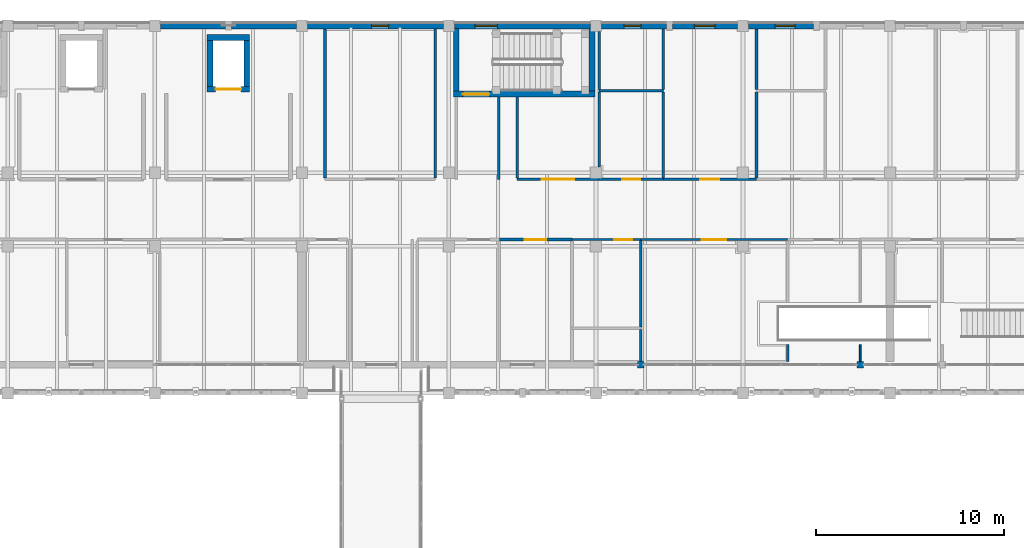
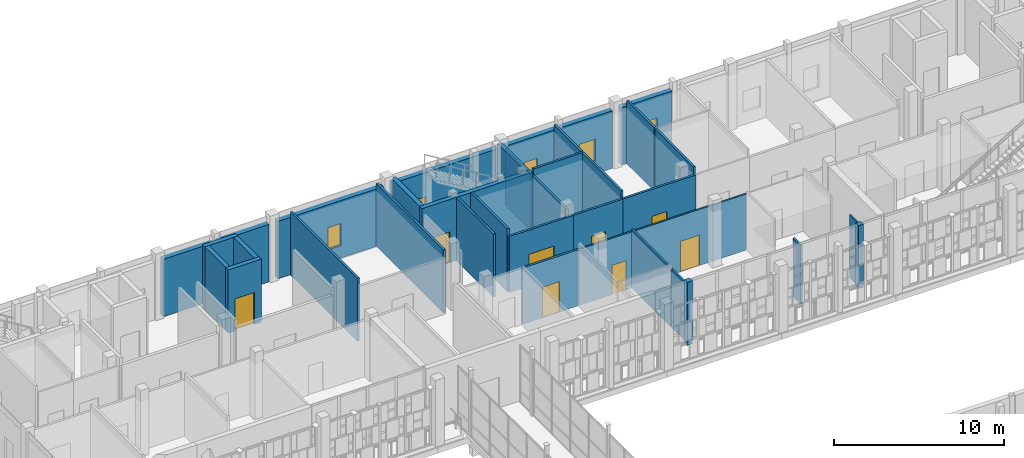
# One storey, part 109 of 138: 37 walls, 8 doors, 5 windows, 13 openings.
"""IFC4 building model written with IfcOpenShell, lengths in metres."""

from ifc_helpers import new_model, si_unit, direction, frame, frame_2d, origin, place, context, subcontext, project, spatial, rectangle, extrude, material, layer, layer_set, type_object, element, fill, save


model = new_model("IFC4")

# Units and contexts
model_context = context("Model", 3, precision=1e-05, world=origin(), true_north=direction((0.0, 1.0)))
body_context = subcontext(model_context, "Body", "Model", "MODEL_VIEW")
ifc_project = project(units=[si_unit("LENGTHUNIT", "METRE"), si_unit("AREAUNIT", "SQUARE_METRE"), si_unit("VOLUMEUNIT", "CUBIC_METRE"), si_unit("PLANEANGLEUNIT", "RADIAN"), si_unit("MASSUNIT", "GRAM", prefix="KILO")], contexts=[model_context])

# Site, building, storey
site_placement = place(None, origin())
site = spatial("IfcSite", under=ifc_project, at=site_placement, CompositionType="ELEMENT")
building_placement = place(site_placement, origin())
building = spatial("IfcBuilding", under=site, at=building_placement, Name="Celorna Specialist Clinic", CompositionType="ELEMENT")
storey_placement = place(building_placement, frame((0.0, 0.0, 4.800048828125)))
storey = spatial("IfcBuildingStorey", under=building, at=storey_placement, Name="L01", CompositionType="ELEMENT", Elevation=4.800048828125)

# Walls
ifc_material_1 = material(Name="Pero Pinheiro Lioz limestone insulated masonry", Category="masonry")
ifc_layer_1 = layer(ifc_material_1, 0.340087890625, Name="Pero Pinheiro Lioz limestone insulated masonry")
ifc_layer_set_1 = layer_set([ifc_layer_1], Name="Pero Pinheiro Lioz limestone insulated masonry")
wall_type_1 = type_object("IfcWallType", Name="WT-07", PredefinedType="STANDARD", material=ifc_layer_set_1)
for number, where, z_axis, x_axis, name in (
    (1, (88.340087890625, 98.0, 0.0), (0.0, 0.0, 1.0), (-1.0, 0.0, 0.0), "External facade wall WT-07 #191"),
    (2, (99.989990234375, 98.0, 0.0), (0.0, 0.0, 1.0), (-1.0, 0.0, 0.0), "External facade wall WT-07 #192"),
):
    element("IfcWall", number, at=place(storey_placement, frame(where, z_axis=z_axis, x_axis=x_axis)), inside=storey, type_object=wall_type_1, Name=name, PredefinedType="STANDARD", context=body_context, shape_type="SweptSolid", body=[
        extrude(rectangle(XDim=0.340087890625, YDim=0.340087890625, at=frame_2d((0.169921875, 0.0))), origin(), (0.0, 0.0, 1.0), 4.5400390625),
    ])
for number, where, z_axis, x_axis, name in (
    (3, (62.699951171875, 116.0, 0.0), (0.0, 0.0, 1.0), (1.0, 0.0, 0.0), "External facade wall WT-07 #206"),
    (4, (66.449951171875, 116.0, 0.0), (0.0, 0.0, 1.0), (1.0, 0.0, 0.0), "External facade wall WT-07 #207"),
):
    element("IfcWall", number, at=place(storey_placement, frame(where, z_axis=z_axis, x_axis=x_axis)), inside=storey, type_object=wall_type_1, Name=name, PredefinedType="STANDARD", context=body_context, shape_type="SweptSolid", body=[
        extrude(rectangle(XDim=3.449951171875, YDim=0.340087890625, at=frame_2d((1.72509765625, 0.0))), origin(), (0.0, 0.0, 1.0), 4.139892578125),
    ])

# Wall, opening, window
wall_1_placement = place(storey_placement, frame((70.5, 116.0, 0.0), z_axis=(0.0, 0.0, 1.0), x_axis=(1.0, 0.0, 0.0)))
wall_1 = element("IfcWall", 5, at=wall_1_placement, inside=storey, type_object=wall_type_1, Name="External facade wall WT-07 #208", PredefinedType="STANDARD", context=body_context, shape_type="SweptSolid", body=[
    extrude(rectangle(XDim=7.199951171875, YDim=0.340087890625, at=frame_2d((3.60009765625, 0.0))), origin(), (0.0, 0.0, 1.0), 4.139892578125),
])
opening_1_placement = place(wall_1_placement, frame((3.39501953125, 0.0, 0.89990234375)))
opening_1 = element("IfcOpeningElement", 6, at=opening_1_placement, cuts=wall_1, Name="Opening WN-01", PredefinedType="OPENING", context=body_context, shape_type="SweptSolid", body=[
    extrude(rectangle(XDim=0.89990234375, YDim=1.60009765625, at=frame_2d((0.449951171875, 0.800048828125))), frame((0.0, 0.179931640625, 0.0), z_axis=(0.0, -1.0, 0.0), x_axis=(1.0, 0.0, 0.0)), (0.0, 0.0, 1.0), 0.360107421875),
])
ifc_material_2 = material(Name="Thermally broken aluminium triple-glazed window", Category="aluminium")
window_type_1 = type_object("IfcWindowType", Name="WN-01", PartitioningType="SINGLE_PANEL", PredefinedType="WINDOW", material=ifc_material_2)
window_1_placement = place(opening_1_placement, origin())
window_1 = element("IfcWindow", 7, at=window_1_placement, inside=storey, type_object=window_type_1, Name="Facade window WN-01 #88", OverallHeight=1.60009765625, OverallWidth=0.89990234375, PartitioningType="SINGLE_PANEL", PredefinedType="WINDOW", context=body_context, shape_type="SweptSolid", body=[
    extrude(rectangle(XDim=0.89990234375, YDim=1.60009765625, at=frame_2d((0.449951171875, 0.800048828125))), frame((0.0, 0.030029296875, 0.0), z_axis=(0.0, -1.0, 0.0), x_axis=(1.0, 0.0, 0.0)), (0.0, 0.0, 1.0), 0.06005859375),
])
fill(opening_1, window_1)

wall_2_placement = place(storey_placement, frame((78.300048828125, 116.0, 0.0), z_axis=(0.0, 0.0, 1.0), x_axis=(1.0, 0.0, 0.0)))
wall_2 = element("IfcWall", 8, at=wall_2_placement, inside=storey, type_object=wall_type_1, Name="External facade wall WT-07 #209", PredefinedType="STANDARD", context=body_context, shape_type="SweptSolid", body=[
    extrude(rectangle(XDim=7.199951171875, YDim=0.340087890625, at=frame_2d((3.60009765625, 0.0))), origin(), (0.0, 0.0, 1.0), 4.139892578125),
])
opening_2_placement = place(wall_2_placement, frame((1.070068359375, 0.0, 0.89990234375)))
opening_2 = element("IfcOpeningElement", 9, at=opening_2_placement, cuts=wall_2, Name="Opening WN-04", PredefinedType="OPENING", context=body_context, shape_type="SweptSolid", body=[
    extrude(rectangle(XDim=1.199951171875, YDim=1.5, at=frame_2d((0.60009765625, 0.75))), frame((0.0, 0.179931640625, 0.0), z_axis=(0.0, -1.0, 0.0), x_axis=(1.0, 0.0, 0.0)), (0.0, 0.0, 1.0), 0.360107421875),
])
window_type_2 = type_object("IfcWindowType", Name="WN-04", PartitioningType="SINGLE_PANEL", PredefinedType="WINDOW", material=ifc_material_2)
window_2_placement = place(opening_2_placement, origin())
window_2 = element("IfcWindow", 10, at=window_2_placement, inside=storey, type_object=window_type_2, Name="Facade window WN-04 #89", OverallHeight=1.5, OverallWidth=1.199951171875, PartitioningType="SINGLE_PANEL", PredefinedType="WINDOW", context=body_context, shape_type="SweptSolid", body=[
    extrude(rectangle(XDim=1.199951171875, YDim=1.5, at=frame_2d((0.60009765625, 0.75))), frame((0.0, 0.030029296875, 0.0), z_axis=(0.0, -1.0, 0.0), x_axis=(1.0, 0.0, 0.0)), (0.0, 0.0, 1.0), 0.06005859375),
])
fill(opening_2, window_2)

wall_3_placement = place(storey_placement, frame((86.10009765625, 116.0, 0.0), z_axis=(0.0, 0.0, 1.0), x_axis=(1.0, 0.0, 0.0)))
wall_3 = element("IfcWall", 11, at=wall_3_placement, inside=storey, type_object=wall_type_1, Name="External facade wall WT-07 #210", PredefinedType="STANDARD", context=body_context, shape_type="SweptSolid", body=[
    extrude(rectangle(XDim=3.449951171875, YDim=0.340087890625, at=frame_2d((1.72509765625, 0.0))), origin(), (0.0, 0.0, 1.0), 4.139892578125),
])
opening_3_placement = place(wall_3_placement, frame((1.195068359375, 0.0, 0.89990234375)))
opening_3 = element("IfcOpeningElement", 12, at=opening_3_placement, cuts=wall_3, Name="Opening WN-01", PredefinedType="OPENING", context=body_context, shape_type="SweptSolid", body=[
    extrude(rectangle(XDim=0.89990234375, YDim=1.60009765625, at=frame_2d((0.449951171875, 0.800048828125))), frame((0.0, 0.179931640625, 0.0), z_axis=(0.0, -1.0, 0.0), x_axis=(1.0, 0.0, 0.0)), (0.0, 0.0, 1.0), 0.360107421875),
])
window_3_placement = place(opening_3_placement, origin())
window_3 = element("IfcWindow", 13, at=window_3_placement, inside=storey, type_object=window_type_1, Name="Facade window WN-01 #90", OverallHeight=1.60009765625, OverallWidth=0.89990234375, PartitioningType="SINGLE_PANEL", PredefinedType="WINDOW", context=body_context, shape_type="SweptSolid", body=[
    extrude(rectangle(XDim=0.89990234375, YDim=1.60009765625, at=frame_2d((0.449951171875, 0.800048828125))), frame((0.0, 0.030029296875, 0.0), z_axis=(0.0, -1.0, 0.0), x_axis=(1.0, 0.0, 0.0)), (0.0, 0.0, 1.0), 0.06005859375),
])
fill(opening_3, window_3)

wall_4_placement = place(storey_placement, frame((89.85009765625, 116.0, 0.0), z_axis=(0.0, 0.0, 1.0), x_axis=(1.0, 0.0, 0.0)))
wall_4 = element("IfcWall", 14, at=wall_4_placement, inside=storey, type_object=wall_type_1, Name="External facade wall WT-07 #211", PredefinedType="STANDARD", context=body_context, shape_type="SweptSolid", body=[
    extrude(rectangle(XDim=3.449951171875, YDim=0.340087890625, at=frame_2d((1.72509765625, 0.0))), origin(), (0.0, 0.0, 1.0), 4.139892578125),
])
opening_4_placement = place(wall_4_placement, frame((1.175048828125, 0.0, 0.89990234375)))
opening_4 = element("IfcOpeningElement", 15, at=opening_4_placement, cuts=wall_4, Name="Opening WN-03", PredefinedType="OPENING", context=body_context, shape_type="SweptSolid", body=[
    extrude(rectangle(XDim=1.10009765625, YDim=1.60009765625, at=frame_2d((0.550048828125, 0.800048828125))), frame((0.0, 0.179931640625, 0.0), z_axis=(0.0, -1.0, 0.0), x_axis=(1.0, 0.0, 0.0)), (0.0, 0.0, 1.0), 0.360107421875),
])
window_type_3 = type_object("IfcWindowType", Name="WN-03", PartitioningType="SINGLE_PANEL", PredefinedType="WINDOW", material=ifc_material_2)
window_4_placement = place(opening_4_placement, origin())
window_4 = element("IfcWindow", 16, at=window_4_placement, inside=storey, type_object=window_type_3, Name="Facade window WN-03 #91", OverallHeight=1.60009765625, OverallWidth=1.10009765625, PartitioningType="SINGLE_PANEL", PredefinedType="WINDOW", context=body_context, shape_type="SweptSolid", body=[
    extrude(rectangle(XDim=1.10009765625, YDim=1.60009765625, at=frame_2d((0.550048828125, 0.800048828125))), frame((0.0, 0.030029296875, 0.0), z_axis=(0.0, -1.0, 0.0), x_axis=(1.0, 0.0, 0.0)), (0.0, 0.0, 1.0), 0.06005859375),
])
fill(opening_4, window_4)

wall_5_placement = place(storey_placement, frame((93.89990234375, 116.0, 0.0), z_axis=(0.0, 0.0, 1.0), x_axis=(1.0, 0.0, 0.0)))
wall_5 = element("IfcWall", 17, at=wall_5_placement, inside=storey, type_object=wall_type_1, Name="External facade wall WT-07 #212", PredefinedType="STANDARD", context=body_context, shape_type="SweptSolid", body=[
    extrude(rectangle(XDim=3.4501953125, YDim=0.340087890625, at=frame_2d((1.72509765625, 0.0))), origin(), (0.0, 0.0, 1.0), 4.139892578125),
])
opening_5_placement = place(wall_5_placement, frame((1.39990234375, 0.0, 0.89990234375)))
opening_5 = element("IfcOpeningElement", 18, at=opening_5_placement, cuts=wall_5, Name="Opening WN-21", PredefinedType="OPENING", context=body_context, shape_type="SweptSolid", body=[
    extrude(rectangle(XDim=1.050048828125, YDim=1.64990234375, at=frame_2d((0.52490234375, 0.824951171875))), frame((0.0, 0.179931640625, 0.0), z_axis=(0.0, -1.0, 0.0), x_axis=(1.0, 0.0, 0.0)), (0.0, 0.0, 1.0), 0.360107421875),
])
window_type_4 = type_object("IfcWindowType", Name="WN-21", PartitioningType="SINGLE_PANEL", PredefinedType="WINDOW", material=ifc_material_2)
window_5_placement = place(opening_5_placement, origin())
window_5 = element("IfcWindow", 19, at=window_5_placement, inside=storey, type_object=window_type_4, Name="Facade window WN-21 #92", OverallHeight=1.64990234375, OverallWidth=1.050048828125, PartitioningType="SINGLE_PANEL", PredefinedType="WINDOW", context=body_context, shape_type="SweptSolid", body=[
    extrude(rectangle(XDim=1.050048828125, YDim=1.64990234375, at=frame_2d((0.52490234375, 0.824951171875))), frame((0.0, 0.030029296875, 0.0), z_axis=(0.0, -1.0, 0.0), x_axis=(1.0, 0.0, 0.0)), (0.0, 0.0, 1.0), 0.06005859375),
])
fill(opening_5, window_5)

# Wall, opening, door
ifc_material_3 = material(Name="Concrete C35/45", Category="concrete")
ifc_layer_2 = layer(ifc_material_3, 0.300048828125, Name="Concrete C35/45")
ifc_layer_set_2 = layer_set([ifc_layer_2], Name="Concrete C35/45")
wall_type_2 = type_object("IfcWallType", Name="WT-08", PredefinedType="SHEAR", material=ifc_layer_set_2)
wall_6_placement = place(storey_placement, frame((78.239990234375, 112.3701171875, 0.0), z_axis=(0.0, 0.0, 1.0), x_axis=(1.0, 0.0, 0.0)))
wall_6 = element("IfcWall", 20, at=wall_6_placement, inside=storey, type_object=wall_type_2, Name="Stair ST-02 RC core wall L01 south", PredefinedType="SHEAR", context=body_context, shape_type="SweptSolid", body=[
    extrude(rectangle(XDim=7.5, YDim=0.300048828125, at=frame_2d((3.75, 0.0))), origin(), (0.0, 0.0, 1.0), 4.5400390625),
])
opening_6_placement = place(wall_6_placement, frame((0.5, 0.0, 0.0)))
opening_6 = element("IfcOpeningElement", 21, at=opening_6_placement, cuts=wall_6, Name="Opening DR-10", PredefinedType="OPENING", context=body_context, shape_type="SweptSolid", body=[
    extrude(rectangle(XDim=1.39990234375, YDim=2.199951171875, at=frame_2d((0.699951171875, 1.10009765625))), frame((0.0, 0.159912109375, 0.0), z_axis=(0.0, -1.0, 0.0), x_axis=(1.0, 0.0, 0.0)), (0.0, 0.0, 1.0), 0.320068359375),
])
ifc_material_4 = material(Name="Protected exit stair fire door")
door_type_1 = type_object("IfcDoorType", Name="DR-10", OperationType="NOTDEFINED", PredefinedType="DOOR", material=ifc_material_4)
door_1_placement = place(opening_6_placement, origin())
door_1 = element("IfcDoor", 22, at=door_1_placement, inside=storey, type_object=door_type_1, Name="Protected exit stair door ST-02 L01", OperationType="SINGLE_SWING_LEFT", OverallHeight=2.199951171875, OverallWidth=1.39990234375, PredefinedType="DOOR", context=body_context, shape_type="SweptSolid", body=[
    extrude(rectangle(XDim=1.39990234375, YDim=2.199951171875, at=frame_2d((0.699951171875, 1.10009765625))), frame((0.0, 0.02490234375, 0.0), z_axis=(0.0, -1.0, 0.0), x_axis=(1.0, 0.0, 0.0)), (0.0, 0.0, 1.0), 0.050048828125),
])
fill(opening_6, door_1)

# Walls
for number, where, z_axis, x_axis, name in (
    (23, (78.389892578125, 115.85009765625, 0.0), (0.0, 0.0, 1.0), (0.0, -1.0, 0.0), "Stair ST-02 RC core wall L01 west"),
    (24, (85.590087890625, 112.52001953125, 0.0), (0.0, 0.0, 1.0), (0.0, 1.0, 0.0), "Stair ST-02 RC core wall L01 east"),
):
    element("IfcWall", number, at=place(storey_placement, frame(where, z_axis=z_axis, x_axis=x_axis)), inside=storey, type_object=wall_type_2, Name=name, PredefinedType="SHEAR", context=body_context, shape_type="SweptSolid", body=[
        extrude(rectangle(XDim=3.330078125, YDim=0.300048828125, at=frame_2d((1.6650390625, 0.0))), origin(), (0.0, 0.0, 1.0), 4.5400390625),
    ])

# Wall, opening, door
wall_7_placement = place(storey_placement, frame((65.175048828125, 112.625, 0.0), z_axis=(0.0, 0.0, 1.0), x_axis=(1.0, 0.0, 0.0)))
wall_7 = element("IfcWall", 25, at=wall_7_placement, inside=storey, type_object=wall_type_2, Name="Lift LF-02 RC shaft wall L01", PredefinedType="SHEAR", context=body_context, shape_type="SweptSolid", body=[
    extrude(rectangle(XDim=2.25, YDim=0.300048828125, at=frame_2d((1.125, 0.0))), origin(), (0.0, 0.0, 1.0), 4.5400390625),
])
opening_7_placement = place(wall_7_placement, frame((0.449951171875, 0.0, 0.0)))
opening_7 = element("IfcOpeningElement", 26, at=opening_7_placement, cuts=wall_7, Name="Opening LD-02", PredefinedType="OPENING", context=body_context, shape_type="SweptSolid", body=[
    extrude(rectangle(XDim=1.35009765625, YDim=2.300048828125, at=frame_2d((0.675048828125, 1.14990234375))), frame((0.0, 0.159912109375, 0.0), z_axis=(0.0, -1.0, 0.0), x_axis=(1.0, 0.0, 0.0)), (0.0, 0.0, 1.0), 0.320068359375),
])
ifc_material_5 = material(Name="Firefighting stretcher lift landing sliding door")
door_type_2 = type_object("IfcDoorType", Name="LD-02", OperationType="DOUBLE_DOOR_SLIDING", PredefinedType="DOOR", material=ifc_material_5)
door_2_placement = place(opening_7_placement, origin())
door_2 = element("IfcDoor", 27, at=door_2_placement, inside=storey, type_object=door_type_2, Name="Lift LF-02 sliding landing door L01", OperationType="DOUBLE_DOOR_SLIDING", OverallHeight=2.300048828125, OverallWidth=1.35009765625, PredefinedType="DOOR", context=body_context, shape_type="SweptSolid", body=[
    extrude(rectangle(XDim=1.35009765625, YDim=2.300048828125, at=frame_2d((0.675048828125, 1.14990234375))), frame((0.0, 0.02490234375, 0.0), z_axis=(0.0, -1.0, 0.0), x_axis=(1.0, 0.0, 0.0)), (0.0, 0.0, 1.0), 0.050048828125),
])
fill(opening_7, door_2)

# Walls
wall_8_placement = place(storey_placement, frame((67.425048828125, 115.375, 0.0), z_axis=(0.0, 0.0, 1.0), x_axis=(-1.0, 0.0, 0.0)))
element("IfcWall", 28, at=wall_8_placement, inside=storey, type_object=wall_type_2, Name="Lift LF-02 RC shaft wall L01", PredefinedType="SHEAR", context=body_context, shape_type="SweptSolid", body=[
    extrude(rectangle(XDim=2.25, YDim=0.300048828125, at=frame_2d((1.125, 0.0))), origin(), (0.0, 0.0, 1.0), 4.5400390625),
])
for number, where, z_axis, x_axis, name in (
    (29, (65.324951171875, 115.22509765625, 0.0), (0.0, 0.0, 1.0), (0.0, -1.0, 0.0), "Lift LF-02 RC shaft wall L01"),
    (30, (67.27490234375, 112.77490234375, 0.0), (0.0, 0.0, 1.0), (0.0, 1.0, 0.0), "Lift LF-02 RC shaft wall L01"),
):
    element("IfcWall", number, at=place(storey_placement, frame(where, z_axis=z_axis, x_axis=x_axis)), inside=storey, type_object=wall_type_2, Name=name, PredefinedType="SHEAR", context=body_context, shape_type="SweptSolid", body=[
        extrude(rectangle(XDim=2.4501953125, YDim=0.300048828125, at=frame_2d((1.22509765625, 0.0))), origin(), (0.0, 0.0, 1.0), 4.5400390625),
    ])
ifc_material_6 = material(Name="Fire-rated gypsum board partition")
ifc_layer_3 = layer(ifc_material_6, 0.14990234375, Name="Fire-rated gypsum board partition")
ifc_layer_set_3 = layer_set([ifc_layer_3], Name="Fire-rated gypsum board partition")
wall_type_3 = type_object("IfcWallType", Name="WT-14", PredefinedType="PARTITIONING", material=ifc_layer_set_3)
wall_9_placement = place(storey_placement, frame((80.639892578125, 107.85009765625, 0.0), z_axis=(0.0, 0.0, 1.0), x_axis=(0.0, 1.0, 0.0)))
element("IfcWall", 31, at=wall_9_placement, inside=storey, type_object=wall_type_3, Name="Corridor spur partition WT-14", PredefinedType="PARTITIONING", context=body_context, shape_type="SweptSolid", body=[
    extrude(rectangle(XDim=4.369873046875, YDim=0.14990234375, at=frame_2d((2.18505859375, 0.0))), origin(), (0.0, 0.0, 1.0), 4.5400390625),
])

# Wall, opening, door
wall_10_placement = place(storey_placement, frame((84.52001953125, 104.64990234375, 0.0), z_axis=(0.0, 0.0, 1.0), x_axis=(-1.0, 0.0, 0.0)))
wall_10 = element("IfcWall", 32, at=wall_10_placement, inside=storey, type_object=wall_type_3, Name="Interior partition WT-14 L01-058", PredefinedType="PARTITIONING", context=body_context, shape_type="SweptSolid", body=[
    extrude(rectangle(XDim=3.85009765625, YDim=0.14990234375, at=frame_2d((1.925048828125, 0.0))), origin(), (0.0, 0.0, 1.0), 4.0400390625),
])
opening_8_placement = place(wall_10_placement, frame((1.35009765625, 0.0, 0.0)))
opening_8 = element("IfcOpeningElement", 33, at=opening_8_placement, cuts=wall_10, Name="Opening DR-07", PredefinedType="OPENING", context=body_context, shape_type="SweptSolid", body=[
    extrude(rectangle(XDim=1.14990234375, YDim=2.199951171875, at=frame_2d((0.574951171875, 1.10009765625))), frame((0.0, 0.0849609375, 0.0), z_axis=(0.0, -1.0, 0.0), x_axis=(1.0, 0.0, 0.0)), (0.0, 0.0, 1.0), 0.169921875),
])
ifc_material_7 = material(Name="Hermetic cleanroom airlock door")
door_type_3 = type_object("IfcDoorType", Name="DR-07", OperationType="NOTDEFINED", PredefinedType="DOOR", material=ifc_material_7)
door_3_placement = place(opening_8_placement, origin())
door_3 = element("IfcDoor", 34, at=door_3_placement, inside=storey, type_object=door_type_3, Name="Outpatient Clinic door L01-058", OperationType="SINGLE_SWING_RIGHT", OverallHeight=2.199951171875, OverallWidth=1.14990234375, PredefinedType="DOOR", context=body_context, shape_type="SweptSolid", body=[
    extrude(rectangle(XDim=1.14990234375, YDim=2.199951171875, at=frame_2d((0.574951171875, 1.10009765625))), frame((0.0, 0.02490234375, 0.0), z_axis=(0.0, -1.0, 0.0), x_axis=(1.0, 0.0, 0.0)), (0.0, 0.0, 1.0), 0.050048828125),
])
fill(opening_8, door_3)

wall_11_placement = place(storey_placement, frame((81.6201171875, 107.85009765625, 0.0), z_axis=(0.0, 0.0, 1.0), x_axis=(1.0, 0.0, 0.0)))
wall_11 = element("IfcWall", 35, at=wall_11_placement, inside=storey, type_object=wall_type_3, Name="Interior partition WT-14 L01-077", PredefinedType="PARTITIONING", context=body_context, shape_type="SweptSolid", body=[
    extrude(rectangle(XDim=4.349853515625, YDim=0.14990234375, at=frame_2d((2.1748046875, 0.0))), origin(), (0.0, 0.0, 1.0), 4.0400390625),
])
opening_9_placement = place(wall_11_placement, frame((1.31494140625, 0.0, 0.0)))
opening_9 = element("IfcOpeningElement", 36, at=opening_9_placement, cuts=wall_11, Name="Opening DR-24", PredefinedType="OPENING", context=body_context, shape_type="SweptSolid", body=[
    extrude(rectangle(XDim=1.719970703125, YDim=2.300048828125, at=frame_2d((0.85986328125, 1.14990234375))), frame((0.0, 0.0849609375, 0.0), z_axis=(0.0, -1.0, 0.0), x_axis=(1.0, 0.0, 0.0)), (0.0, 0.0, 1.0), 0.169921875),
])
ifc_material_8 = material(Name="Double leaf clinical waiting door")
door_type_4 = type_object("IfcDoorType", Name="DR-24", OperationType="DOUBLE_DOOR_SINGLE_SWING", PredefinedType="DOOR", material=ifc_material_8)
door_4_placement = place(opening_9_placement, origin())
door_4 = element("IfcDoor", 37, at=door_4_placement, inside=storey, type_object=door_type_4, Name="Outpatient Diagnostic Clinic door L01-077", OperationType="DOUBLE_DOOR_SINGLE_SWING", OverallHeight=2.300048828125, OverallWidth=1.719970703125, PredefinedType="DOOR", context=body_context, shape_type="SweptSolid", body=[
    extrude(rectangle(XDim=1.719970703125, YDim=2.300048828125, at=frame_2d((0.85986328125, 1.14990234375))), frame((0.0, 0.02490234375, 0.0), z_axis=(0.0, -1.0, 0.0), x_axis=(1.0, 0.0, 0.0)), (0.0, 0.0, 1.0), 0.050048828125),
])
fill(opening_9, door_4)

wall_12_placement = place(storey_placement, frame((85.969970703125, 107.85009765625, 0.0), z_axis=(0.0, 0.0, 1.0), x_axis=(1.0, 0.0, 0.0)))
wall_12 = element("IfcWall", 38, at=wall_12_placement, inside=storey, type_object=wall_type_3, Name="Interior partition WT-14 L01-078", PredefinedType="PARTITIONING", context=body_context, shape_type="SweptSolid", body=[
    extrude(rectangle(XDim=3.400146484375, YDim=0.14990234375, at=frame_2d((1.7001953125, 0.0))), origin(), (0.0, 0.0, 1.0), 4.0400390625),
])
opening_10_placement = place(wall_12_placement, frame((1.22509765625, 0.0, 0.0)))
opening_10 = element("IfcOpeningElement", 39, at=opening_10_placement, cuts=wall_12, Name="Opening DR-03", PredefinedType="OPENING", context=body_context, shape_type="SweptSolid", body=[
    extrude(rectangle(XDim=0.949951171875, YDim=2.10009765625, at=frame_2d((0.47509765625, 1.050048828125))), frame((0.0, 0.0849609375, 0.0), z_axis=(0.0, -1.0, 0.0), x_axis=(1.0, 0.0, 0.0)), (0.0, 0.0, 1.0), 0.169921875),
])
ifc_material_9 = material(Name="Moisture-resistant accessible WC door")
door_type_5 = type_object("IfcDoorType", Name="DR-03", OperationType="NOTDEFINED", PredefinedType="DOOR", material=ifc_material_9)
door_5_placement = place(opening_10_placement, origin())
door_5 = element("IfcDoor", 40, at=door_5_placement, inside=storey, type_object=door_type_5, Name="Accessible WC door L01-078", OperationType="SINGLE_SWING_RIGHT", OverallHeight=2.10009765625, OverallWidth=0.949951171875, PredefinedType="DOOR", context=body_context, shape_type="SweptSolid", body=[
    extrude(rectangle(XDim=0.949951171875, YDim=2.10009765625, at=frame_2d((0.47509765625, 1.050048828125))), frame((0.0, 0.02490234375, 0.0), z_axis=(0.0, -1.0, 0.0), x_axis=(1.0, 0.0, 0.0)), (0.0, 0.0, 1.0), 0.050048828125),
])
fill(opening_10, door_5)

# Wall
wall_13_placement = place(storey_placement, frame((85.969970703125, 112.550048828125, 0.0), z_axis=(0.0, 0.0, 1.0), x_axis=(1.0, 0.0, 0.0)))
element("IfcWall", 41, at=wall_13_placement, inside=storey, type_object=wall_type_3, Name="Sanitary suite rear partition L01-078", PredefinedType="PARTITIONING", context=body_context, shape_type="SweptSolid", body=[
    extrude(rectangle(XDim=3.400146484375, YDim=0.14990234375, at=frame_2d((1.7001953125, 0.0))), origin(), (0.0, 0.0, 1.0), 4.5400390625),
])

# Wall, opening, door
wall_14_placement = place(storey_placement, frame((89.3701171875, 107.85009765625, 0.0), z_axis=(0.0, 0.0, 1.0), x_axis=(1.0, 0.0, 0.0)))
wall_14 = element("IfcWall", 42, at=wall_14_placement, inside=storey, type_object=wall_type_3, Name="Interior partition WT-14 L01-079", PredefinedType="PARTITIONING", context=body_context, shape_type="SweptSolid", body=[
    extrude(rectangle(XDim=4.949951171875, YDim=0.14990234375, at=frame_2d((2.47509765625, 0.0))), origin(), (0.0, 0.0, 1.0), 4.0400390625),
])
opening_11_placement = place(wall_14_placement, frame((1.97509765625, 0.0, 0.0)))
opening_11 = element("IfcOpeningElement", 43, at=opening_11_placement, cuts=wall_14, Name="Opening DR-04", PredefinedType="OPENING", context=body_context, shape_type="SweptSolid", body=[
    extrude(rectangle(XDim=1.0, YDim=2.10009765625, at=frame_2d((0.5, 1.050048828125))), frame((0.0, 0.0849609375, 0.0), z_axis=(0.0, -1.0, 0.0), x_axis=(1.0, 0.0, 0.0)), (0.0, 0.0, 1.0), 0.169921875),
])
ifc_material_10 = material(Name="Timber consultation suite door", Category="wood")
door_type_6 = type_object("IfcDoorType", Name="DR-04", OperationType="NOTDEFINED", PredefinedType="DOOR", material=ifc_material_10)
door_6_placement = place(opening_11_placement, origin())
door_6 = element("IfcDoor", 44, at=door_6_placement, inside=storey, type_object=door_type_6, Name="Pulmonary Function Testing Suite door L01-079", OperationType="SINGLE_SWING_LEFT", OverallHeight=2.10009765625, OverallWidth=1.0, PredefinedType="DOOR", context=body_context, shape_type="SweptSolid", body=[
    extrude(rectangle(XDim=1.0, YDim=2.10009765625, at=frame_2d((0.5, 1.050048828125))), frame((0.0, 0.02490234375, 0.0), z_axis=(0.0, -1.0, 0.0), x_axis=(1.0, 0.0, 0.0)), (0.0, 0.0, 1.0), 0.050048828125),
])
fill(opening_11, door_6)

# Walls
for number, where, z_axis, x_axis, name in (
    (45, (71.419921875, 107.925048828125, 0.0), (0.0, 0.0, 1.0), (0.0, 1.0, 0.0), "Room dividing partition WT-14 L01-076"),
    (46, (77.27001953125, 107.925048828125, 0.0), (0.0, 0.0, 1.0), (0.0, 1.0, 0.0), "Room dividing partition WT-14 L01-076"),
):
    element("IfcWall", number, at=place(storey_placement, frame(where, z_axis=z_axis, x_axis=x_axis)), inside=storey, type_object=wall_type_3, Name=name, PredefinedType="PARTITIONING", context=body_context, shape_type="SweptSolid", body=[
        extrude(rectangle(XDim=7.905029296875, YDim=0.14990234375, at=frame_2d((3.95263671875, 0.0))), origin(), (0.0, 0.0, 1.0), 4.5400390625),
    ])
wall_15_placement = place(storey_placement, frame((81.6201171875, 107.925048828125, 0.0), z_axis=(0.0, 0.0, 1.0), x_axis=(0.0, 1.0, 0.0)))
element("IfcWall", 47, at=wall_15_placement, inside=storey, type_object=wall_type_3, Name="Room dividing partition WT-14 L01-077", PredefinedType="PARTITIONING", context=body_context, shape_type="SweptSolid", body=[
    extrude(rectangle(XDim=4.294921875, YDim=0.14990234375, at=frame_2d((2.1474609375, 0.0))), origin(), (0.0, 0.0, 1.0), 4.5400390625),
])
wall_16_placement = place(storey_placement, frame((85.969970703125, 108.5, 0.0), z_axis=(0.0, 0.0, 1.0), x_axis=(0.0, 1.0, 0.0)))
element("IfcWall", 48, at=wall_16_placement, inside=storey, type_object=wall_type_3, Name="Room dividing partition WT-14 L01-077", PredefinedType="PARTITIONING", context=body_context, shape_type="SweptSolid", body=[
    extrude(rectangle(XDim=3.97509765625, YDim=0.14990234375, at=frame_2d((1.987548828125, 0.0))), origin(), (0.0, 0.0, 1.0), 4.08984375),
])
wall_17_placement = place(storey_placement, frame((85.969970703125, 112.625, 0.0), z_axis=(0.0, 0.0, 1.0), x_axis=(0.0, 1.0, 0.0)))
element("IfcWall", 49, at=wall_17_placement, inside=storey, type_object=wall_type_3, Name="Room dividing partition WT-14 L01-077", PredefinedType="PARTITIONING", context=body_context, shape_type="SweptSolid", body=[
    extrude(rectangle(XDim=3.074951171875, YDim=0.14990234375, at=frame_2d((1.53759765625, 0.0))), origin(), (0.0, 0.0, 1.0), 4.08984375),
])
wall_18_placement = place(storey_placement, frame((89.3701171875, 107.925048828125, 0.0), z_axis=(0.0, 0.0, 1.0), x_axis=(0.0, 1.0, 0.0)))
element("IfcWall", 50, at=wall_18_placement, inside=storey, type_object=wall_type_3, Name="Room dividing partition WT-14 L01-078", PredefinedType="PARTITIONING", context=body_context, shape_type="SweptSolid", body=[
    extrude(rectangle(XDim=4.550048828125, YDim=0.14990234375, at=frame_2d((2.27490234375, 0.0))), origin(), (0.0, 0.0, 1.0), 4.5400390625),
])
wall_19_placement = place(storey_placement, frame((89.3701171875, 112.625, 0.0), z_axis=(0.0, 0.0, 1.0), x_axis=(0.0, 1.0, 0.0)))
element("IfcWall", 51, at=wall_19_placement, inside=storey, type_object=wall_type_3, Name="Room dividing partition WT-14 L01-079", PredefinedType="PARTITIONING", context=body_context, shape_type="SweptSolid", body=[
    extrude(rectangle(XDim=3.205078125, YDim=0.14990234375, at=frame_2d((1.6025390625, 0.0))), origin(), (0.0, 0.0, 1.0), 4.5400390625),
])
wall_20_placement = place(storey_placement, frame((94.320068359375, 107.925048828125, 0.0), z_axis=(0.0, 0.0, 1.0), x_axis=(0.0, 1.0, 0.0)))
element("IfcWall", 52, at=wall_20_placement, inside=storey, type_object=wall_type_3, Name="Room dividing partition WT-14 L01-079", PredefinedType="PARTITIONING", context=body_context, shape_type="SweptSolid", body=[
    extrude(rectangle(XDim=4.56494140625, YDim=0.14990234375, at=frame_2d((2.282470703125, 0.0))), origin(), (0.0, 0.0, 1.0), 4.5400390625),
])
wall_21_placement = place(storey_placement, frame((94.320068359375, 112.610107421875, 0.0), z_axis=(0.0, 0.0, 1.0), x_axis=(0.0, 1.0, 0.0)))
element("IfcWall", 53, at=wall_21_placement, inside=storey, type_object=wall_type_3, Name="Room dividing partition WT-14 L01-079", PredefinedType="PARTITIONING", context=body_context, shape_type="SweptSolid", body=[
    extrude(rectangle(XDim=3.219970703125, YDim=0.14990234375, at=frame_2d((1.60986328125, 0.0))), origin(), (0.0, 0.0, 1.0), 4.5400390625),
])

# Wall, opening, door
ifc_material_11 = material(Name="Acoustic gypsum board partition")
ifc_layer_4 = layer(ifc_material_11, 0.1201171875, Name="Acoustic gypsum board partition")
ifc_layer_set_4 = layer_set([ifc_layer_4], Name="Acoustic gypsum board partition")
wall_type_4 = type_object("IfcWallType", Name="WT-15", PredefinedType="PARTITIONING", material=ifc_layer_set_4)
wall_22_placement = place(storey_placement, frame((88.169921875, 104.64990234375, 0.0), z_axis=(0.0, 0.0, 1.0), x_axis=(-1.0, 0.0, 0.0)))
wall_22 = element("IfcWall", 54, at=wall_22_placement, inside=storey, type_object=wall_type_4, Name="Interior partition WT-15 L01-059", PredefinedType="PARTITIONING", context=body_context, shape_type="SweptSolid", body=[
    extrude(rectangle(XDim=3.64990234375, YDim=0.1201171875, at=frame_2d((1.824951171875, 0.0))), origin(), (0.0, 0.0, 1.0), 4.0400390625),
])
opening_12_placement = place(wall_22_placement, frame((0.4375, 0.0, 0.0)))
opening_12 = element("IfcOpeningElement", 55, at=opening_12_placement, cuts=wall_22, Name="Opening DR-03", PredefinedType="OPENING", context=body_context, shape_type="SweptSolid", body=[
    extrude(rectangle(XDim=0.949951171875, YDim=2.10009765625, at=frame_2d((0.47509765625, 1.050048828125))), frame((0.0, 0.070068359375, 0.0), z_axis=(0.0, -1.0, 0.0), x_axis=(1.0, 0.0, 0.0)), (0.0, 0.0, 1.0), 0.14013671875),
])
door_7_placement = place(opening_12_placement, origin())
door_7 = element("IfcDoor", 56, at=door_7_placement, inside=storey, type_object=door_type_5, Name="Public Female WC door L01-059", OperationType="SINGLE_SWING_LEFT", OverallHeight=2.10009765625, OverallWidth=0.949951171875, PredefinedType="DOOR", context=body_context, shape_type="SweptSolid", body=[
    extrude(rectangle(XDim=0.949951171875, YDim=2.10009765625, at=frame_2d((0.47509765625, 1.050048828125))), frame((0.0, 0.02490234375, 0.0), z_axis=(0.0, -1.0, 0.0), x_axis=(1.0, 0.0, 0.0)), (0.0, 0.0, 1.0), 0.050048828125),
])
fill(opening_12, door_7)

wall_23_placement = place(storey_placement, frame((95.969970703125, 104.64990234375, 0.0), z_axis=(0.0, 0.0, 1.0), x_axis=(-1.0, 0.0, 0.0)))
wall_23 = element("IfcWall", 57, at=wall_23_placement, inside=storey, type_object=wall_type_4, Name="Interior partition WT-15 L01-060", PredefinedType="PARTITIONING", context=body_context, shape_type="SweptSolid", body=[
    extrude(rectangle(XDim=7.800048828125, YDim=0.1201171875, at=frame_2d((3.89990234375, 0.0))), origin(), (0.0, 0.0, 1.0), 4.0400390625),
])
opening_13_placement = place(wall_23_placement, frame((3.25, 0.0, 0.0)))
opening_13 = element("IfcOpeningElement", 58, at=opening_13_placement, cuts=wall_23, Name="Opening DR-09", PredefinedType="OPENING", context=body_context, shape_type="SweptSolid", body=[
    extrude(rectangle(XDim=1.300048828125, YDim=2.199951171875, at=frame_2d((0.64990234375, 1.10009765625))), frame((0.0, 0.070068359375, 0.0), z_axis=(0.0, -1.0, 0.0), x_axis=(1.0, 0.0, 0.0)), (0.0, 0.0, 1.0), 0.14013671875),
])
ifc_material_12 = material(Name="Lead-lined radiology room door")
door_type_7 = type_object("IfcDoorType", Name="DR-09", OperationType="NOTDEFINED", PredefinedType="DOOR", material=ifc_material_12)
door_8_placement = place(opening_13_placement, origin())
door_8 = element("IfcDoor", 59, at=door_8_placement, inside=storey, type_object=door_type_7, Name="Audiology and ENT Examination Room door L01-060", OperationType="SINGLE_SWING_RIGHT", OverallHeight=2.199951171875, OverallWidth=1.300048828125, PredefinedType="DOOR", context=body_context, shape_type="SweptSolid", body=[
    extrude(rectangle(XDim=1.300048828125, YDim=2.199951171875, at=frame_2d((0.64990234375, 1.10009765625))), frame((0.0, 0.02490234375, 0.0), z_axis=(0.0, -1.0, 0.0), x_axis=(1.0, 0.0, 0.0)), (0.0, 0.0, 1.0), 0.050048828125),
])
fill(opening_13, door_8)

# Walls
wall_24_placement = place(storey_placement, frame((88.169921875, 100.010009765625, 0.0), z_axis=(0.0, 0.0, 1.0), x_axis=(0.0, 1.0, 0.0)))
element("IfcWall", 60, at=wall_24_placement, inside=storey, type_object=wall_type_4, Name="Room dividing partition WT-15 L01-059", PredefinedType="PARTITIONING", context=body_context, shape_type="SweptSolid", body=[
    extrude(rectangle(XDim=4.580078125, YDim=0.1201171875, at=frame_2d((2.2900390625, 0.0))), origin(), (0.0, 0.0, 1.0), 4.2099609375),
])
wall_25_placement = place(storey_placement, frame((88.169921875, 98.169921875, 0.0), z_axis=(0.0, 0.0, 1.0), x_axis=(0.0, 1.0, 0.0)))
element("IfcWall", 61, at=wall_25_placement, inside=storey, type_object=wall_type_4, Name="Room dividing partition WT-15 L01-060", PredefinedType="PARTITIONING", context=body_context, shape_type="SweptSolid", body=[
    extrude(rectangle(XDim=1.719970703125, YDim=0.1201171875, at=frame_2d((0.85986328125, 0.0))), origin(), (0.0, 0.0, 1.0), 4.2099609375),
])
wall_26_placement = place(storey_placement, frame((95.969970703125, 98.169921875, 0.0), z_axis=(0.0, 0.0, 1.0), x_axis=(0.0, 1.0, 0.0)))
element("IfcWall", 62, at=wall_26_placement, inside=storey, type_object=wall_type_4, Name="Room dividing partition WT-15 L01-060", PredefinedType="PARTITIONING", context=body_context, shape_type="SweptSolid", body=[
    extrude(rectangle(XDim=0.905029296875, YDim=0.1201171875, at=frame_2d((0.45263671875, 0.0))), origin(), (0.0, 0.0, 1.0), 4.2099609375),
])
ifc_material_13 = material(Name="Moisture-resistant gypsum partition")
ifc_layer_5 = layer(ifc_material_13, 0.10009765625, Name="Moisture-resistant gypsum partition")
ifc_layer_set_5 = layer_set([ifc_layer_5], Name="Moisture-resistant gypsum partition")
wall_type_5 = type_object("IfcWallType", Name="WT-16", PredefinedType="PARTITIONING", material=ifc_layer_set_5)
wall_27_placement = place(storey_placement, frame((99.820068359375, 98.169921875, 0.0), z_axis=(0.0, 0.0, 1.0), x_axis=(0.0, 1.0, 0.0)))
element("IfcWall", 63, at=wall_27_placement, inside=storey, type_object=wall_type_5, Name="Room dividing partition WT-16 L01-061", PredefinedType="PARTITIONING", context=body_context, shape_type="SweptSolid", body=[
    extrude(rectangle(XDim=0.905029296875, YDim=0.10009765625, at=frame_2d((0.45263671875, 0.0))), origin(), (0.0, 0.0, 1.0), 4.5400390625),
])

save(model, "model.ifc")
